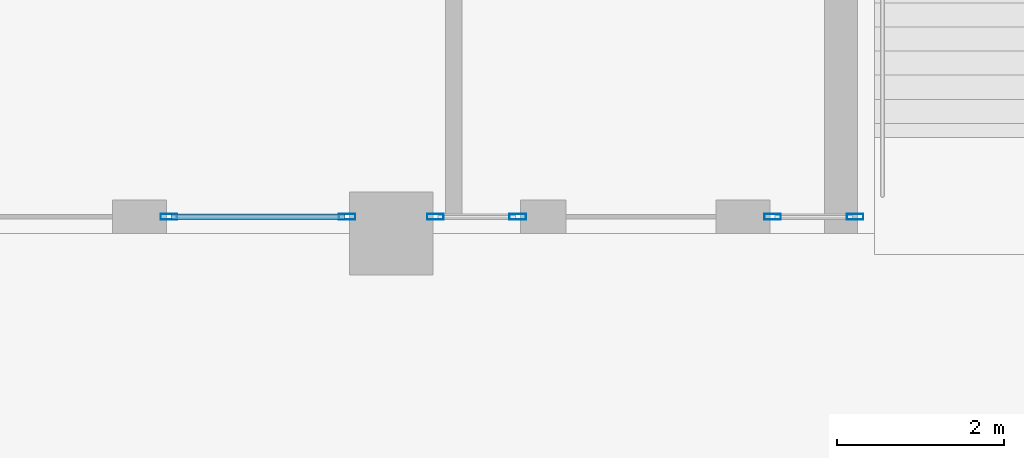
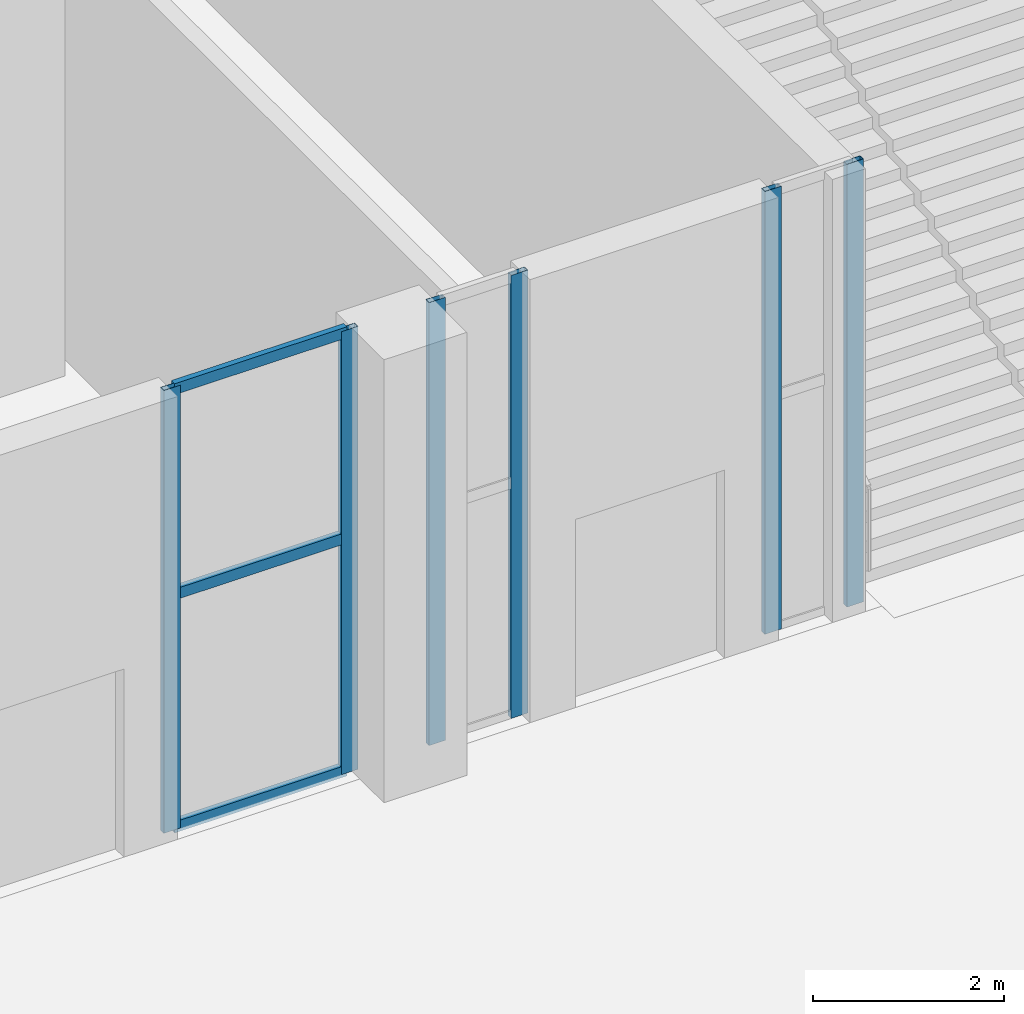
# One storey, part 7 of 25: 9 members, 3 elements without a shape of their own.
"""IFC4 building model written with IfcOpenShell, lengths in metres."""

from ifc_helpers import new_model, si_unit, direction, frame, origin, origin_2d, place, context, subcontext, project, spatial, hollow_rectangle, extrude, material, material_profile, profile_set, type_object, element, aggregate, save


model = new_model("IFC4")

# Units and contexts
model_context = context("Model", 3, precision=1e-05, world=origin(), true_north=direction((0.0, 1.0)))
body_context = subcontext(model_context, "Body", "Model", "MODEL_VIEW")
ifc_project = project(units=[si_unit("LENGTHUNIT", "METRE"), si_unit("AREAUNIT", "SQUARE_METRE"), si_unit("VOLUMEUNIT", "CUBIC_METRE"), si_unit("PLANEANGLEUNIT", "RADIAN"), si_unit("MASSUNIT", "GRAM", prefix="KILO")], contexts=[model_context])

# Site, building, storey
site_placement = place(None, origin())
site = spatial("IfcSite", under=ifc_project, at=site_placement, CompositionType="ELEMENT")
building_placement = place(site_placement, origin())
building = spatial("IfcBuilding", under=site, at=building_placement, Name="Ostrander Bayou Hotel Tower", CompositionType="ELEMENT")
storey_placement = place(building_placement, origin())
storey = spatial("IfcBuildingStorey", under=building, at=storey_placement, Name="L00", CompositionType="ELEMENT", Elevation=0.0)

# Curtain wall, members
ifc_material_1 = material(Name="Aluminium and clear glass", Category="aluminium")
curtain_wall_type = type_object("IfcCurtainWallType", Name="CW-LOBBY glazed wall", PredefinedType="NOTDEFINED", material=ifc_material_1)
curtain_wall_1_placement = place(storey_placement, origin())
curtain_wall_1 = element("IfcCurtainWall", 1, at=curtain_wall_1_placement, inside=storey, type_object=curtain_wall_type, Name="CW-LOBBY L00:2:A", PredefinedType="NOTDEFINED")
ifc_material_2 = material(Name="Aluminium", Category="aluminium")
ifc_material_profile_1 = material_profile(ifc_material_2, hollow_rectangle(XDim=0.070068359375, YDim=0.199951171875, WallThickness=0.00390625, at=origin_2d()))
ifc_profile_set_1 = profile_set([ifc_material_profile_1], Name="Aluminium")
member_type_1 = type_object("IfcMemberType", Name="CW-LO mullion 70 x 200 mm", PredefinedType="MULLION", material=ifc_profile_set_1)
member_1_placement = place(storey_placement, frame((13.969970703125, -50.199951171875, 0.0), z_axis=(0.0, 0.0, 1.0), x_axis=(0.0, -1.0, 0.0)))
member_1 = element("IfcMember", 2, at=member_1_placement, type_object=member_type_1, Name="CW-LOBBY mullion 1", PredefinedType="MULLION", context=body_context, shape_type="SweptSolid", body=[
    extrude(hollow_rectangle(XDim=0.070068359375, YDim=0.199951171875, WallThickness=0.00390625, at=origin_2d()), origin(), (0.0, 0.0, 1.0), 5.64990234375),
])
member_2_placement = place(storey_placement, frame((12.97998046875, -50.199951171875, 0.0), z_axis=(0.0, 0.0, 1.0), x_axis=(0.0, -1.0, 0.0)))
member_2 = element("IfcMember", 3, at=member_2_placement, type_object=member_type_1, Name="CW-LOBBY mullion 2", PredefinedType="MULLION", context=body_context, shape_type="SweptSolid", body=[
    extrude(hollow_rectangle(XDim=0.070068359375, YDim=0.199951171875, WallThickness=0.00390625, at=origin_2d()), origin(), (0.0, 0.0, 1.0), 5.64990234375),
])
aggregate(curtain_wall_1, [member_1, member_2])

curtain_wall_2_placement = place(storey_placement, origin())
curtain_wall_2 = element("IfcCurtainWall", 4, at=curtain_wall_2_placement, inside=storey, type_object=curtain_wall_type, Name="CW-LOBBY L00:2:B", PredefinedType="NOTDEFINED")
member_3_placement = place(storey_placement, frame((9.919921875, -50.199951171875, 0.0), z_axis=(0.0, 0.0, 1.0), x_axis=(0.0, -1.0, 0.0)))
member_3 = element("IfcMember", 5, at=member_3_placement, type_object=member_type_1, Name="CW-LOBBY mullion 1", PredefinedType="MULLION", context=body_context, shape_type="SweptSolid", body=[
    extrude(hollow_rectangle(XDim=0.070068359375, YDim=0.199951171875, WallThickness=0.00390625, at=origin_2d()), origin(), (0.0, 0.0, 1.0), 5.64990234375),
])
member_4_placement = place(storey_placement, frame((8.929931640625, -50.199951171875, 0.0), z_axis=(0.0, 0.0, 1.0), x_axis=(0.0, -1.0, 0.0)))
member_4 = element("IfcMember", 6, at=member_4_placement, type_object=member_type_1, Name="CW-LOBBY mullion 2", PredefinedType="MULLION", context=body_context, shape_type="SweptSolid", body=[
    extrude(hollow_rectangle(XDim=0.070068359375, YDim=0.199951171875, WallThickness=0.00390625, at=origin_2d()), origin(), (0.0, 0.0, 1.0), 5.64990234375),
])
aggregate(curtain_wall_2, [member_3, member_4])

curtain_wall_3_placement = place(storey_placement, origin())
curtain_wall_3 = element("IfcCurtainWall", 7, at=curtain_wall_3_placement, inside=storey, type_object=curtain_wall_type, Name="CW-LOBBY L00:3:A", PredefinedType="NOTDEFINED")
member_5_placement = place(storey_placement, frame((7.8701171875, -50.199951171875, 0.0), z_axis=(0.0, 0.0, 1.0), x_axis=(0.0, -1.0, 0.0)))
member_5 = element("IfcMember", 8, at=member_5_placement, type_object=member_type_1, Name="CW-LOBBY mullion 1", PredefinedType="MULLION", context=body_context, shape_type="SweptSolid", body=[
    extrude(hollow_rectangle(XDim=0.070068359375, YDim=0.199951171875, WallThickness=0.00390625, at=origin_2d()), origin(), (0.0, 0.0, 1.0), 5.64990234375),
])
member_6_placement = place(storey_placement, frame((5.72998046875, -50.199951171875, 0.0), z_axis=(0.0, 0.0, 1.0), x_axis=(0.0, -1.0, 0.0)))
member_6 = element("IfcMember", 9, at=member_6_placement, type_object=member_type_1, Name="CW-LOBBY mullion 2", PredefinedType="MULLION", context=body_context, shape_type="SweptSolid", body=[
    extrude(hollow_rectangle(XDim=0.070068359375, YDim=0.199951171875, WallThickness=0.00390625, at=origin_2d()), origin(), (0.0, 0.0, 1.0), 5.64990234375),
])
ifc_material_3 = material(Name="Aluminium", Category="aluminium")
ifc_material_profile_2 = material_profile(ifc_material_3, hollow_rectangle(XDim=0.070068359375, YDim=0.139892578125, WallThickness=0.00390625, at=origin_2d()))
ifc_profile_set_2 = profile_set([ifc_material_profile_2], Name="Aluminium")
member_type_2 = type_object("IfcMemberType", Name="CW-LO transom 70 x 140 mm", PredefinedType="USERDEFINED", material=ifc_profile_set_2)
member_7_placement = place(storey_placement, frame((7.840087890625, -50.199951171875, 0.030029296875), z_axis=(-1.0, 0.0, 0.0), x_axis=(0.0, -1.0, 0.0)))
member_7 = element("IfcMember", 10, at=member_7_placement, type_object=member_type_2, Name="CW-LOBBY transom 1.1", ObjectType="TRANSOM", PredefinedType="USERDEFINED", context=body_context, shape_type="SweptSolid", body=[
    extrude(hollow_rectangle(XDim=0.070068359375, YDim=0.139892578125, WallThickness=0.00390625, at=origin_2d()), origin(), (0.0, 0.0, 1.0), 2.080078125),
])
member_8_placement = place(storey_placement, frame((7.840087890625, -50.199951171875, 3.0), z_axis=(-1.0, 0.0, 0.0), x_axis=(0.0, -1.0, 0.0)))
member_8 = element("IfcMember", 11, at=member_8_placement, type_object=member_type_2, Name="CW-LOBBY transom 1.2", ObjectType="TRANSOM", PredefinedType="USERDEFINED", context=body_context, shape_type="SweptSolid", body=[
    extrude(hollow_rectangle(XDim=0.070068359375, YDim=0.139892578125, WallThickness=0.00390625, at=origin_2d()), origin(), (0.0, 0.0, 1.0), 2.080078125),
])
member_9_placement = place(storey_placement, frame((7.840087890625, -50.199951171875, 5.6201171875), z_axis=(-1.0, 0.0, 0.0), x_axis=(0.0, -1.0, 0.0)))
member_9 = element("IfcMember", 12, at=member_9_placement, type_object=member_type_2, Name="CW-LOBBY transom 1.3", ObjectType="TRANSOM", PredefinedType="USERDEFINED", context=body_context, shape_type="SweptSolid", body=[
    extrude(hollow_rectangle(XDim=0.070068359375, YDim=0.139892578125, WallThickness=0.00390625, at=origin_2d()), origin(), (0.0, 0.0, 1.0), 2.080078125),
])
aggregate(curtain_wall_3, [member_5, member_6, member_7, member_8, member_9])

save(model, "model.ifc")
